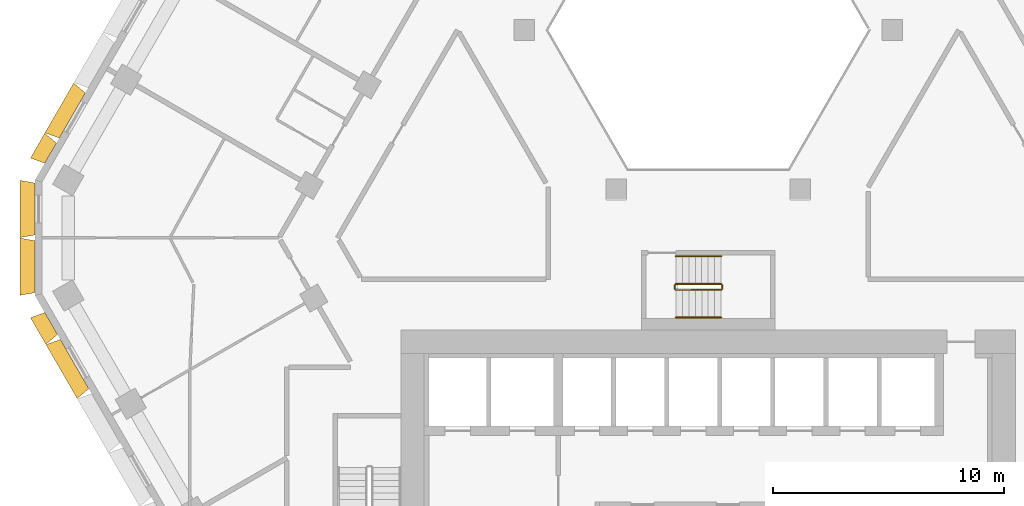
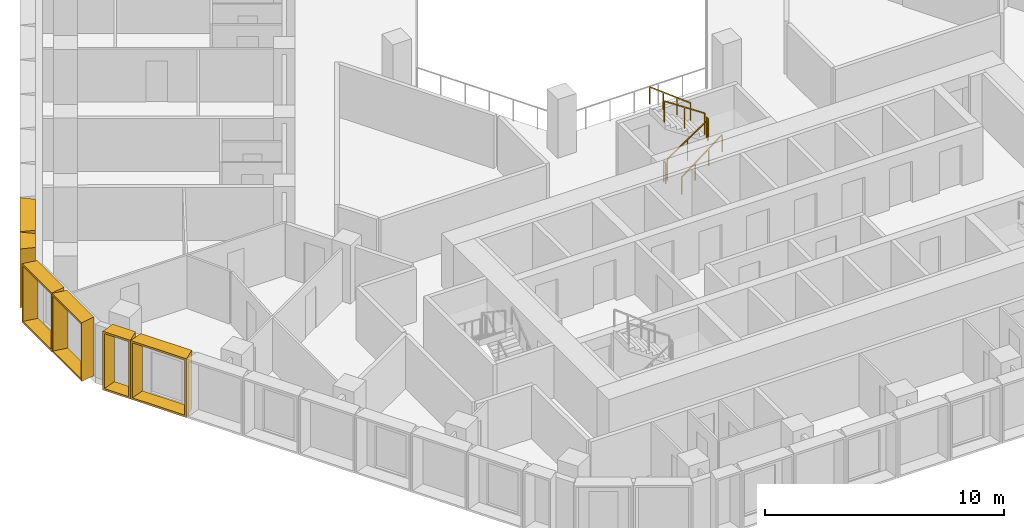
# One storey, part 13 of 15: 6 railings, 6 shading devices.
"""IFC4 building model written with IfcOpenShell, lengths in metres."""

import ifcopenshell
import ifcopenshell.guid

model = None  # the IFC model being written
_history = None  # IfcOwnerHistory: only IFC2X3 demands one
_inside = {}  # id of a spatial element -> (the spatial element, [elements in it])
_under = {}  # id of a project, library or spatial element -> (it, [spatial elements below it])
_declared = {}  # id of a project -> (the project, [libraries it declares])
_typed = {}  # id of a type object -> (the type object, [elements of that type])
_made_of = {}  # id of a material, layer set ... -> (it, [elements and type objects made of it])


def new_model(schema):
    """Start an empty IFC model of exactly this schema.

    Asked for "IFC4X3", IfcOpenShell would pick the latest addendum, in which some entities
    have other attributes; the version numbers below select the first issue.
    IFC2X3 requires an IfcOwnerHistory on every rooted entity: one is made here for all.
    """
    global model, _history
    if schema == "IFC4X3":
        model = ifcopenshell.file(schema_version=(4, 3, 0, 0))
    else:
        model = ifcopenshell.file(schema=schema)
    _inside.clear()
    _under.clear()
    _declared.clear()
    _typed.clear()
    _made_of.clear()
    _history = None
    if model.schema == "IFC2X3":
        org = make("IfcOrganization", Name="unknown")
        user = make(
            "IfcPersonAndOrganization",
            ThePerson=make("IfcPerson", FamilyName="unknown"),
            TheOrganization=org,
        )
        app = make(
            "IfcApplication",
            ApplicationDeveloper=org,
            Version="unknown",
            ApplicationFullName="unknown",
            ApplicationIdentifier="unknown",
        )
        _history = make(
            "IfcOwnerHistory",
            OwningUser=user,
            OwningApplication=app,
            ChangeAction="ADDED",
            CreationDate=0,
        )
    return model


def make(cls, **values):
    """One entity of the class cls with the attributes given. An attribute that is None is left unset."""
    return model.create_entity(
        cls, **{name: value for name, value in values.items() if value is not None}
    )


def entity(cls, *values):
    """Any entity or typed value of the class cls, its attributes in the order of the schema. None: left unset."""
    e = model.create_entity(cls)
    for i, value in enumerate(values):
        if value is not None:
            e[i] = value
    return e


def rooted(cls, **values):
    """An entity with a GlobalId (a new one), such as an element, a storey or a relation."""
    return make(cls, GlobalId=ifcopenshell.guid.new(), OwnerHistory=_history, **values)


def si_unit(unit_type, name, prefix=None):
    """IfcSIUnit, for example si_unit("LENGTHUNIT", "METRE", prefix="MILLI")."""
    return make("IfcSIUnit", UnitType=unit_type, Prefix=prefix, Name=name)


def assignment(units):
    """IfcUnitAssignment: the units of a project."""
    return None if units is None else make("IfcUnitAssignment", Units=units)


def point(xyz):
    """IfcCartesianPoint."""
    return None if xyz is None else make("IfcCartesianPoint", Coordinates=xyz)


def direction(xyz):
    """IfcDirection."""
    return None if xyz is None else make("IfcDirection", DirectionRatios=xyz)


def frame(location, z_axis=None, x_axis=None):
    """IfcAxis2Placement3D, a coordinate frame: its origin and axes. An axis left out is left unset."""
    return make(
        "IfcAxis2Placement3D",
        Location=point(location),
        Axis=direction(z_axis),
        RefDirection=direction(x_axis),
    )


def frame_2d(location, x_axis=None):
    """IfcAxis2Placement2D, a coordinate frame in the plane: its origin and x axis."""
    return make(
        "IfcAxis2Placement2D", Location=point(location), RefDirection=direction(x_axis)
    )


def origin():
    """The frame at (0, 0, 0) with its axes left unset."""
    return frame((0.0, 0.0, 0.0))


def origin_2d():
    """The frame at (0, 0) in the plane with its x axis left unset."""
    return frame_2d((0.0, 0.0))


def place(relative_to, where):
    """IfcLocalPlacement: puts the frame where relative to a parent placement (None: the world)."""
    return make(
        "IfcLocalPlacement", PlacementRelTo=relative_to, RelativePlacement=where
    )


def context(
    kind, dimensions, precision=None, world=None, true_north=None, identifier=None
):
    """IfcGeometricRepresentationContext, for example the 3D "Model" context."""
    return make(
        "IfcGeometricRepresentationContext",
        ContextIdentifier=identifier,
        ContextType=kind,
        CoordinateSpaceDimension=dimensions,
        Precision=precision,
        WorldCoordinateSystem=world,
        TrueNorth=true_north,
    )


def subcontext(parent, identifier, kind, view, scale=None):
    """IfcGeometricRepresentationSubContext, for example "Body" below "Model"."""
    return make(
        "IfcGeometricRepresentationSubContext",
        ContextIdentifier=identifier,
        ContextType=kind,
        ParentContext=parent,
        TargetScale=scale,
        TargetView=view,
    )


def project(units=None, contexts=None):
    """IfcProject with its units and contexts."""
    return rooted(
        "IfcProject",
        Name="project",
        RepresentationContexts=contexts,
        UnitsInContext=assignment(units),
    )


def spatial(cls, under=None, at=None, **own):
    """A site, building, storey or space (cls), placed at a placement, below another one or the project."""
    s = rooted(cls, ObjectPlacement=at, **own)
    if under is not None:
        _under.setdefault(under.id(), (under, []))[1].append(s)
    return s


def profile(cls, at=None, kind="AREA", **sizes):
    """A parametric profile (cls). Its sizes go by their IFC names, for example OverallWidth=200.0."""
    return make(cls, ProfileType=kind, Position=at, **sizes)


def rectangle(**sizes):
    """IfcRectangleProfileDef."""
    return profile("IfcRectangleProfileDef", **sizes)


def extrude(swept, where, along, depth):
    """IfcExtrudedAreaSolid: the profile swept, set in the frame where, extruded along a direction by depth."""
    return make(
        "IfcExtrudedAreaSolid",
        SweptArea=swept,
        Position=where,
        ExtrudedDirection=direction(along),
        Depth=depth,
    )


def shape(context_of_items, identifier, shape_type, items):
    """IfcShapeRepresentation: the items that make up one representation, for example the "Body"."""
    return make(
        "IfcShapeRepresentation",
        ContextOfItems=context_of_items,
        RepresentationIdentifier=identifier,
        RepresentationType=shape_type,
        Items=items,
    )


def source(mapping_origin, context_of_items, identifier, shape_type, items):
    """IfcRepresentationMap: a shape defined once, which mapped items show again and again."""
    return make(
        "IfcRepresentationMap",
        MappingOrigin=mapping_origin,
        MappedRepresentation=shape(context_of_items, identifier, shape_type, items),
    )


def transform(
    local_origin,
    x_axis=None,
    y_axis=None,
    z_axis=None,
    scale=None,
    scale2=None,
    scale3=None,
    uniform=True,
):
    """IfcCartesianTransformationOperator3D, or its non-uniform kind. x_axis, y_axis, z_axis: its Axis1, 2, 3."""
    if uniform:
        return make(
            "IfcCartesianTransformationOperator3D",
            Axis1=direction(x_axis),
            Axis2=direction(y_axis),
            LocalOrigin=point(local_origin),
            Scale=scale,
            Axis3=direction(z_axis),
        )
    return make(
        "IfcCartesianTransformationOperator3DnonUniform",
        Axis1=direction(x_axis),
        Axis2=direction(y_axis),
        LocalOrigin=point(local_origin),
        Scale=scale,
        Axis3=direction(z_axis),
        Scale2=scale2,
        Scale3=scale3,
    )


def mapped(mapping_source, mapping_target):
    """IfcMappedItem: shows the shape of a source again, moved by a transform."""
    return make(
        "IfcMappedItem", MappingSource=mapping_source, MappingTarget=mapping_target
    )


def material(Name=None, Category=None):
    """IfcMaterial."""
    return make("IfcMaterial", Name=Name, Category=Category)


def made_of(thing, what):
    """Note that an element or type object is made of a material, layer set ...; save() writes the relation."""
    if what is not None:
        _made_of.setdefault(what.id(), (what, []))[1].append(thing)
    return thing


def type_object(cls, material=None, **own):
    """A type object (cls), such as IfcWallType, which elements share."""
    return made_of(rooted(cls, **own), material)


def type_shapes(of_type, sources):
    """Give a type object the sources (RepresentationMaps) that its elements show as mapped items."""
    of_type.RepresentationMaps = sources


def element(
    cls,
    number,
    at=None,
    inside=None,
    cuts=None,
    type_object=None,
    material=None,
    context=None,
    identifier="Body",
    shape_type=None,
    held_by="IfcProductDefinitionShape",
    body=None,
    shapes=None,
    **own,
):
    """One element of the class cls, such as IfcWall. Its Tag is "e" and its number.

    at: its placement. inside: the storey or other place that contains it. cuts: it is an
    opening in that element (IfcRelVoidsElement). A single representation is given by context,
    identifier, shape_type and body (its items); several are given by shapes. held_by: the class
    of the entity that holds the representations. save() writes the other relations.
    """
    e = rooted(cls, Tag="e%d" % number, ObjectPlacement=at, **own)
    if body is not None:
        shapes = [shape(context, identifier, shape_type, body)]
    if shapes is not None:
        e.Representation = make(held_by, Representations=shapes)
    if inside is not None:
        _inside.setdefault(inside.id(), (inside, []))[1].append(e)
    if cuts is not None:
        rooted(
            "IfcRelVoidsElement", RelatingBuildingElement=cuts, RelatedOpeningElement=e
        )
    if type_object is not None:
        _typed.setdefault(type_object.id(), (type_object, []))[1].append(e)
    return made_of(e, material)


def aggregate(whole, parts):
    """IfcRelAggregates: a whole, such as a stair, and the parts it consists of."""
    return rooted("IfcRelAggregates", RelatingObject=whole, RelatedObjects=parts)


def save(model, path):
    """Write the relations noted so far, then the file.

    IfcRelAggregates (storeys below a building ...), IfcRelContainedInSpatialStructure (elements
    in a storey), IfcRelDefinesByType, IfcRelAssociatesMaterial and IfcRelDeclares: one each for
    every whole, place, type object, material and project.
    """
    for whole, parts in _under.values():
        aggregate(whole, parts)
    for where, things in _inside.values():
        rooted(
            "IfcRelContainedInSpatialStructure",
            RelatedElements=things,
            RelatingStructure=where,
        )
    for kind, things in _typed.values():
        rooted("IfcRelDefinesByType", RelatedObjects=things, RelatingType=kind)
    for what, things in _made_of.values():
        rooted("IfcRelAssociatesMaterial", RelatedObjects=things, RelatingMaterial=what)
    for by, libraries in _declared.values():
        rooted("IfcRelDeclares", RelatingContext=by, RelatedDefinitions=libraries)
    model.write(path)


model = new_model("IFC4")

# Units and contexts
model_context = context("Model", 3, precision=1e-05, world=origin(), true_north=direction((0.0, 1.0)))
body_context = subcontext(model_context, "Body", "Model", "MODEL_VIEW")
ifc_project = project(units=[si_unit("LENGTHUNIT", "METRE"), si_unit("AREAUNIT", "SQUARE_METRE"), si_unit("VOLUMEUNIT", "CUBIC_METRE"), si_unit("PLANEANGLEUNIT", "RADIAN"), si_unit("MASSUNIT", "GRAM", prefix="KILO")], contexts=[model_context])

# Site, building, storey
site_placement = place(None, origin())
site = spatial("IfcSite", under=ifc_project, at=site_placement, CompositionType="ELEMENT")
building_placement = place(site_placement, origin())
building = spatial("IfcBuilding", under=site, at=building_placement, Name="Beryl Residences", CompositionType="ELEMENT")
storey_placement = place(building_placement, frame((0.0, 0.0, 72.0)))
storey = spatial("IfcBuildingStorey", under=building, at=storey_placement, Name="L21", CompositionType="ELEMENT", Elevation=72.0)

# Shading devices
ifc_material_1 = material(Name="Aluminium pale anodised", Category="aluminium")
shading_device_type_1 = type_object("IfcShadingDeviceType", Name="FR126-65A OUTER SKIN frame 650 mm deep, splay 10/10 deg, 1260 x 3000 mm cell", PredefinedType="USERDEFINED", material=ifc_material_1)
cartesian_point_1 = entity("IfcCartesianPoint", [-0.5048828125, 0.0])
cartesian_point_2 = entity("IfcCartesianPoint", [-0.423828125, 0.10009765625])
cartesian_point_3 = entity("IfcCartesianPoint", [-0.61962890625, 0.0])
cartesian_point_4 = entity("IfcCartesianPoint", [-0.538330078125, 0.10009765625])
shared_shape_1 = source(origin(), body_context, "Body", "SweptSolid", [
    entity("IfcExtrudedAreaSolidTapered", entity("IfcArbitraryProfileDefWithVoids", "AREA", None, entity("IfcPolyline", [cartesian_point_1, entity("IfcCartesianPoint", [0.5048828125, 0.0]), entity("IfcCartesianPoint", [0.5048828125, 3.0]), entity("IfcCartesianPoint", [-0.5048828125, 3.0]), cartesian_point_1]), [entity("IfcPolyline", [cartesian_point_2, entity("IfcCartesianPoint", [0.423828125, 0.10009765625]), entity("IfcCartesianPoint", [0.423828125, 2.89990234375]), entity("IfcCartesianPoint", [-0.423828125, 2.89990234375]), cartesian_point_2])]), entity("IfcAxis2Placement3D", entity("IfcCartesianPoint", [0.0, 0.0, 0.0]), entity("IfcDirection", [0.0, 1.0, 0.0]), entity("IfcDirection", [-1.0, 0.0, 0.0])), entity("IfcDirection", [0.0, 0.0, 1.0]), 0.64990234375, entity("IfcArbitraryProfileDefWithVoids", "AREA", None, entity("IfcPolyline", [cartesian_point_3, entity("IfcCartesianPoint", [0.61962890625, 0.0]), entity("IfcCartesianPoint", [0.61962890625, 3.0]), entity("IfcCartesianPoint", [-0.61962890625, 3.0]), cartesian_point_3]), [entity("IfcPolyline", [cartesian_point_4, entity("IfcCartesianPoint", [0.538330078125, 0.10009765625]), entity("IfcCartesianPoint", [0.538330078125, 2.89990234375]), entity("IfcCartesianPoint", [-0.538330078125, 2.89990234375]), cartesian_point_4])])),
])
type_shapes(shading_device_type_1, [shared_shape_1])
shading_device_1_placement = place(storey_placement, frame((-28.48193359375, 2.6689453125, 0.0), z_axis=(0.0, 0.0, 1.0), x_axis=(0.5, 0.866025403784, 0.0)))
element("IfcShadingDevice", 1, at=shading_device_1_placement, inside=storey, type_object=shading_device_type_1, Name="FR126-65A frame L21 NW 11", ObjectType="OUTER SKIN", PredefinedType="USERDEFINED", context=body_context, shape_type="MappedRepresentation", body=[
    mapped(shared_shape_1, transform((0.0, 0.0, 0.0))),
])
ifc_material_2 = material(Name="Aluminium pale anodised", Category="aluminium")
shading_device_type_2 = type_object("IfcShadingDeviceType", Name="FR135-65A OUTER SKIN frame 650 mm deep, splay 10/10 deg, 1350 x 3000 mm cell", PredefinedType="USERDEFINED", material=ifc_material_2)
cartesian_point_5 = entity("IfcCartesianPoint", [-0.550048828125, 0.0])
cartesian_point_6 = entity("IfcCartesianPoint", [-0.46875, 0.10009765625])
cartesian_point_7 = entity("IfcCartesianPoint", [-0.66455078125, 0.0])
cartesian_point_8 = entity("IfcCartesianPoint", [-0.58349609375, 0.10009765625])
shared_shape_2 = source(origin(), body_context, "Body", "SweptSolid", [
    entity("IfcExtrudedAreaSolidTapered", entity("IfcArbitraryProfileDefWithVoids", "AREA", None, entity("IfcPolyline", [cartesian_point_5, entity("IfcCartesianPoint", [0.550048828125, 0.0]), entity("IfcCartesianPoint", [0.550048828125, 3.0]), entity("IfcCartesianPoint", [-0.550048828125, 3.0]), cartesian_point_5]), [entity("IfcPolyline", [cartesian_point_6, entity("IfcCartesianPoint", [0.46875, 0.10009765625]), entity("IfcCartesianPoint", [0.46875, 2.89990234375]), entity("IfcCartesianPoint", [-0.46875, 2.89990234375]), cartesian_point_6])]), entity("IfcAxis2Placement3D", entity("IfcCartesianPoint", [0.0, 0.0, 0.0]), entity("IfcDirection", [0.0, 1.0, 0.0]), entity("IfcDirection", [-1.0, 0.0, 0.0])), entity("IfcDirection", [0.0, 0.0, 1.0]), 0.64990234375, entity("IfcArbitraryProfileDefWithVoids", "AREA", None, entity("IfcPolyline", [cartesian_point_7, entity("IfcCartesianPoint", [0.66455078125, 0.0]), entity("IfcCartesianPoint", [0.66455078125, 3.0]), entity("IfcCartesianPoint", [-0.66455078125, 3.0]), cartesian_point_7]), [entity("IfcPolyline", [cartesian_point_8, entity("IfcCartesianPoint", [0.58349609375, 0.10009765625]), entity("IfcCartesianPoint", [0.58349609375, 2.89990234375]), entity("IfcCartesianPoint", [-0.58349609375, 2.89990234375]), cartesian_point_8])])),
])
type_shapes(shading_device_type_2, [shared_shape_2])
shading_device_2_placement = place(storey_placement, frame((-28.4580078125, -4.7099609375, 0.0), z_axis=(0.0, 0.0, 1.0), x_axis=(-0.5, 0.866025403784, 0.0)))
element("IfcShadingDevice", 2, at=shading_device_2_placement, inside=storey, type_object=shading_device_type_2, Name="FR135-65A frame L21 SW 1", ObjectType="OUTER SKIN", PredefinedType="USERDEFINED", context=body_context, shape_type="MappedRepresentation", body=[
    mapped(shared_shape_2, transform((0.0, 0.0, 0.0))),
])
ifc_material_3 = material(Name="Aluminium pale anodised", Category="aluminium")
shading_device_type_3 = type_object("IfcShadingDeviceType", Name="FR250-65A OUTER SKIN frame 650 mm deep, splay 10/10 deg, 2500 x 3000 mm cell", PredefinedType="USERDEFINED", material=ifc_material_3)
cartesian_point_9 = entity("IfcCartesianPoint", [-1.125, 0.0])
cartesian_point_10 = entity("IfcCartesianPoint", [-1.043701171875, 0.10009765625])
cartesian_point_11 = entity("IfcCartesianPoint", [-1.239501953125, 0.0])
cartesian_point_12 = entity("IfcCartesianPoint", [-1.158447265625, 0.10009765625])
shared_shape_3 = source(origin(), body_context, "Body", "SweptSolid", [
    entity("IfcExtrudedAreaSolidTapered", entity("IfcArbitraryProfileDefWithVoids", "AREA", None, entity("IfcPolyline", [cartesian_point_9, entity("IfcCartesianPoint", [1.125, 0.0]), entity("IfcCartesianPoint", [1.125, 3.0]), entity("IfcCartesianPoint", [-1.125, 3.0]), cartesian_point_9]), [entity("IfcPolyline", [cartesian_point_10, entity("IfcCartesianPoint", [1.043701171875, 0.10009765625]), entity("IfcCartesianPoint", [1.043701171875, 2.89990234375]), entity("IfcCartesianPoint", [-1.043701171875, 2.89990234375]), cartesian_point_10])]), entity("IfcAxis2Placement3D", entity("IfcCartesianPoint", [0.0, 0.0, 0.0]), entity("IfcDirection", [0.0, 1.0, 0.0]), entity("IfcDirection", [-1.0, 0.0, 0.0])), entity("IfcDirection", [0.0, 0.0, 1.0]), 0.64990234375, entity("IfcArbitraryProfileDefWithVoids", "AREA", None, entity("IfcPolyline", [cartesian_point_11, entity("IfcCartesianPoint", [1.239501953125, 0.0]), entity("IfcCartesianPoint", [1.239501953125, 3.0]), entity("IfcCartesianPoint", [-1.239501953125, 3.0]), cartesian_point_11]), [entity("IfcPolyline", [cartesian_point_12, entity("IfcCartesianPoint", [1.158447265625, 0.10009765625]), entity("IfcCartesianPoint", [1.158447265625, 2.89990234375]), entity("IfcCartesianPoint", [-1.158447265625, 2.89990234375]), cartesian_point_12])])),
])
type_shapes(shading_device_type_3, [shared_shape_3])
for number, where, z_axis, x_axis, name in (
    (3, (-29.156982421875, 0.25, 0.0), (0.0, 0.0, 1.0), (0.0, 1.0, 0.0), "FR250-65A frame L21 NW-SW 1"),
    (4, (-29.156982421875, -2.25, 0.0), (0.0, 0.0, 1.0), (0.0, 1.0, 0.0), "FR250-65A frame L21 NW-SW 2"),
):
    element("IfcShadingDevice", number, at=place(storey_placement, frame(where, z_axis=z_axis, x_axis=x_axis)), inside=storey, type_object=shading_device_type_3, Name=name, ObjectType="OUTER SKIN", PredefinedType="USERDEFINED", context=body_context, shape_type="MappedRepresentation", body=[
        mapped(shared_shape_3, transform((0.0, 0.0, 0.0))),
    ])
ifc_material_4 = material(Name="Aluminium pale anodised", Category="aluminium")
shading_device_type_4 = type_object("IfcShadingDeviceType", Name="FR251-65A OUTER SKIN frame 650 mm deep, splay 10/10 deg, 2510 x 3000 mm cell", PredefinedType="USERDEFINED", material=ifc_material_4)
cartesian_point_13 = entity("IfcCartesianPoint", [-1.1298828125, 0.0])
cartesian_point_14 = entity("IfcCartesianPoint", [-1.048828125, 0.10009765625])
cartesian_point_15 = entity("IfcCartesianPoint", [-1.24462890625, 0.0])
cartesian_point_16 = entity("IfcCartesianPoint", [-1.163330078125, 0.10009765625])
shared_shape_4 = source(origin(), body_context, "Body", "SweptSolid", [
    entity("IfcExtrudedAreaSolidTapered", entity("IfcArbitraryProfileDefWithVoids", "AREA", None, entity("IfcPolyline", [cartesian_point_13, entity("IfcCartesianPoint", [1.1298828125, 0.0]), entity("IfcCartesianPoint", [1.1298828125, 3.0]), entity("IfcCartesianPoint", [-1.1298828125, 3.0]), cartesian_point_13]), [entity("IfcPolyline", [cartesian_point_14, entity("IfcCartesianPoint", [1.048828125, 0.10009765625]), entity("IfcCartesianPoint", [1.048828125, 2.89990234375]), entity("IfcCartesianPoint", [-1.048828125, 2.89990234375]), cartesian_point_14])]), entity("IfcAxis2Placement3D", entity("IfcCartesianPoint", [0.0, 0.0, 0.0]), entity("IfcDirection", [0.0, 1.0, 0.0]), entity("IfcDirection", [-1.0, 0.0, 0.0])), entity("IfcDirection", [0.0, 0.0, 1.0]), 0.64990234375, entity("IfcArbitraryProfileDefWithVoids", "AREA", None, entity("IfcPolyline", [cartesian_point_15, entity("IfcCartesianPoint", [1.24462890625, 0.0]), entity("IfcCartesianPoint", [1.24462890625, 3.0]), entity("IfcCartesianPoint", [-1.24462890625, 3.0]), cartesian_point_15]), [entity("IfcPolyline", [cartesian_point_16, entity("IfcCartesianPoint", [1.163330078125, 0.10009765625]), entity("IfcCartesianPoint", [1.163330078125, 2.89990234375]), entity("IfcCartesianPoint", [-1.163330078125, 2.89990234375]), cartesian_point_16])])),
])
type_shapes(shading_device_type_4, [shared_shape_4])
shading_device_3_placement = place(storey_placement, frame((-27.5400390625, 4.300048828125, 0.0), z_axis=(0.0, 0.0, 1.0), x_axis=(0.5, 0.866025403784, 0.0)))
element("IfcShadingDevice", 5, at=shading_device_3_placement, inside=storey, type_object=shading_device_type_4, Name="FR251-65A frame L21 NW 10", ObjectType="OUTER SKIN", PredefinedType="USERDEFINED", context=body_context, shape_type="MappedRepresentation", body=[
    mapped(shared_shape_4, transform((0.0, 0.0, 0.0))),
])
ifc_material_5 = material(Name="Aluminium pale anodised", Category="aluminium")
shading_device_type_5 = type_object("IfcShadingDeviceType", Name="FR271-65A OUTER SKIN frame 650 mm deep, splay 10/10 deg, 2710 x 3000 mm cell", PredefinedType="USERDEFINED", material=ifc_material_5)
cartesian_point_17 = entity("IfcCartesianPoint", [-1.22998046875, 0.0])
cartesian_point_18 = entity("IfcCartesianPoint", [-1.148681640625, 0.10009765625])
cartesian_point_19 = entity("IfcCartesianPoint", [-1.3447265625, 0.0])
cartesian_point_20 = entity("IfcCartesianPoint", [-1.263427734375, 0.10009765625])
shared_shape_5 = source(origin(), body_context, "Body", "SweptSolid", [
    entity("IfcExtrudedAreaSolidTapered", entity("IfcArbitraryProfileDefWithVoids", "AREA", None, entity("IfcPolyline", [cartesian_point_17, entity("IfcCartesianPoint", [1.22998046875, 0.0]), entity("IfcCartesianPoint", [1.22998046875, 3.0]), entity("IfcCartesianPoint", [-1.22998046875, 3.0]), cartesian_point_17]), [entity("IfcPolyline", [cartesian_point_18, entity("IfcCartesianPoint", [1.148681640625, 0.10009765625]), entity("IfcCartesianPoint", [1.148681640625, 2.89990234375]), entity("IfcCartesianPoint", [-1.148681640625, 2.89990234375]), cartesian_point_18])]), entity("IfcAxis2Placement3D", entity("IfcCartesianPoint", [0.0, 0.0, 0.0]), entity("IfcDirection", [0.0, 1.0, 0.0]), entity("IfcDirection", [-1.0, 0.0, 0.0])), entity("IfcDirection", [0.0, 0.0, 1.0]), 0.64990234375, entity("IfcArbitraryProfileDefWithVoids", "AREA", None, entity("IfcPolyline", [cartesian_point_19, entity("IfcCartesianPoint", [1.3447265625, 0.0]), entity("IfcCartesianPoint", [1.3447265625, 3.0]), entity("IfcCartesianPoint", [-1.3447265625, 3.0]), cartesian_point_19]), [entity("IfcPolyline", [cartesian_point_20, entity("IfcCartesianPoint", [1.263427734375, 0.10009765625]), entity("IfcCartesianPoint", [1.263427734375, 2.89990234375]), entity("IfcCartesianPoint", [-1.263427734375, 2.89990234375]), cartesian_point_20])])),
])
type_shapes(shading_device_type_5, [shared_shape_5])
shading_device_4_placement = place(storey_placement, frame((-27.443115234375, -6.468017578125, 0.0), z_axis=(0.0, 0.0, 1.0), x_axis=(-0.5, 0.866025403784, 0.0)))
element("IfcShadingDevice", 6, at=shading_device_4_placement, inside=storey, type_object=shading_device_type_5, Name="FR271-65A frame L21 SW 2", ObjectType="OUTER SKIN", PredefinedType="USERDEFINED", context=body_context, shape_type="MappedRepresentation", body=[
    mapped(shared_shape_5, transform((0.0, 0.0, 0.0))),
])

# Railings
ifc_material_6 = material(Name="Stainless steel balustrade with glass infill", Category="steel")
railing_type_1 = type_object("IfcRailingType", Name="SG1 stair guard 1100 mm", PredefinedType="GUARDRAIL", material=ifc_material_6)
railing_1_placement = place(storey_placement, frame((-1.39990234375, -3.25, 0.1875)))
element("IfcRailing", 7, at=railing_1_placement, inside=storey, type_object=railing_type_1, Name="L21 ST-4 stair guard 1", PredefinedType="GUARDRAIL", context=body_context, shape_type="SweptSolid", body=[
    extrude(rectangle(XDim=0.048095703125, YDim=0.048095703125, at=origin_2d()), frame((0.0, 0.0, 1.076171875), z_axis=(0.830902050051, 0.0, 0.556418712142), x_axis=(0.0, 1.0, 0.0)), (0.0, 0.0, 1.0), 2.35888671875),
    extrude(rectangle(XDim=0.0419921875, YDim=0.0419921875, at=origin_2d()), origin(), (0.0, 0.0, 1.0), 1.052001953125),
    extrude(rectangle(XDim=0.0419921875, YDim=0.0419921875, at=origin_2d()), frame((0.97998046875, 0.0, 0.65625)), (0.0, 0.0, 1.0), 1.052001953125),
    extrude(rectangle(XDim=0.0419921875, YDim=0.0419921875, at=origin_2d()), frame((1.9599609375, 0.0, 1.3125)), (0.0, 0.0, 1.0), 1.052001953125),
])
railing_2_placement = place(storey_placement, frame((0.610107421875, -3.199951171875, 1.5)))
element("IfcRailing", 8, at=railing_2_placement, inside=storey, type_object=railing_type_1, Name="L21 ST-4 stair guard 2", PredefinedType="GUARDRAIL", context=body_context, shape_type="SweptSolid", body=[
    extrude(rectangle(XDim=0.048095703125, YDim=0.048095703125, at=origin_2d()), frame((0.0, 0.0, 1.076171875), z_axis=(0.0, 1.0, 0.0), x_axis=(-1.0, 0.0, 0.0)), (0.0, 0.0, 1.0), 0.14990234375),
    extrude(rectangle(XDim=0.0419921875, YDim=0.0419921875, at=origin_2d()), origin(), (0.0, 0.0, 1.0), 1.052001953125),
    extrude(rectangle(XDim=0.0419921875, YDim=0.0419921875, at=origin_2d()), frame((0.0, 0.14990234375, 0.0)), (0.0, 0.0, 1.0), 1.052001953125),
])
railing_3_placement = place(storey_placement, frame((0.56005859375, -3.0, 1.6875)))
element("IfcRailing", 9, at=railing_3_placement, inside=storey, type_object=railing_type_1, Name="L21 ST-4 stair guard 3", PredefinedType="GUARDRAIL", context=body_context, shape_type="SweptSolid", body=[
    extrude(rectangle(XDim=0.048095703125, YDim=0.048095703125, at=origin_2d()), frame((0.0, 0.0, 1.076171875), z_axis=(-0.830902050051, 0.0, 0.556418712142), x_axis=(0.0, -1.0, 0.0)), (0.0, 0.0, 1.0), 2.35888671875),
    extrude(rectangle(XDim=0.0419921875, YDim=0.0419921875, at=origin_2d()), origin(), (0.0, 0.0, 1.0), 1.052001953125),
    extrude(rectangle(XDim=0.0419921875, YDim=0.0419921875, at=origin_2d()), frame((-0.97998046875, 0.0, 0.65625)), (0.0, 0.0, 1.0), 1.052001953125),
    extrude(rectangle(XDim=0.0419921875, YDim=0.0419921875, at=origin_2d()), frame((-1.9599609375, 0.0, 1.3125)), (0.0, 0.0, 1.0), 1.052001953125),
])
railing_4_placement = place(storey_placement, frame((-1.449951171875, -3.199951171875, 0.0)))
element("IfcRailing", 10, at=railing_4_placement, inside=storey, type_object=railing_type_1, Name="L21 ST-4 stair guard 4", PredefinedType="GUARDRAIL", context=body_context, shape_type="SweptSolid", body=[
    extrude(rectangle(XDim=0.048095703125, YDim=0.048095703125, at=origin_2d()), frame((0.0, 0.0, 1.076171875), z_axis=(0.0, 1.0, 0.0), x_axis=(-1.0, 0.0, 0.0)), (0.0, 0.0, 1.0), 0.14990234375),
    extrude(rectangle(XDim=0.0419921875, YDim=0.0419921875, at=origin_2d()), origin(), (0.0, 0.0, 1.0), 1.052001953125),
    extrude(rectangle(XDim=0.0419921875, YDim=0.0419921875, at=origin_2d()), frame((0.0, 0.14990234375, 0.0)), (0.0, 0.0, 1.0), 1.052001953125),
])
ifc_material_7 = material(Name="Stainless steel handrail", Category="steel")
railing_type_2 = type_object("IfcRailingType", Name="SRL1 stair handrail 900 mm", PredefinedType="HANDRAIL", material=ifc_material_7)
railing_5_placement = place(storey_placement, frame((-1.39990234375, -4.449951171875, 0.1875)))
element("IfcRailing", 11, at=railing_5_placement, inside=storey, type_object=railing_type_2, Name="L21 ST-4 stair handrail 1", PredefinedType="HANDRAIL", context=body_context, shape_type="SweptSolid", body=[
    extrude(rectangle(XDim=0.048095703125, YDim=0.048095703125, at=origin_2d()), frame((0.0, 0.0, 0.8759765625), z_axis=(0.794121922505, 0.0, 0.607758481798), x_axis=(0.0, 1.0, 0.0)), (0.0, 0.0, 1.0), 2.468017578125),
    extrude(rectangle(XDim=0.0419921875, YDim=0.0419921875, at=origin_2d()), origin(), (0.0, 0.0, 1.0), 0.851806640625),
    extrude(rectangle(XDim=0.0419921875, YDim=0.0419921875, at=origin_2d()), frame((0.6533203125, 0.0, 0.5)), (0.0, 0.0, 1.0), 0.851806640625),
    extrude(rectangle(XDim=0.0419921875, YDim=0.0419921875, at=origin_2d()), frame((1.306640625, 0.0, 1.0)), (0.0, 0.0, 1.0), 0.851806640625),
    extrude(rectangle(XDim=0.0419921875, YDim=0.0419921875, at=origin_2d()), frame((1.9599609375, 0.0, 1.5)), (0.0, 0.0, 1.0), 0.851806640625),
])
railing_6_placement = place(storey_placement, frame((0.56005859375, -1.800048828125, 1.6875)))
element("IfcRailing", 12, at=railing_6_placement, inside=storey, type_object=railing_type_2, Name="L21 ST-4 stair handrail 2", PredefinedType="HANDRAIL", context=body_context, shape_type="SweptSolid", body=[
    extrude(rectangle(XDim=0.048095703125, YDim=0.048095703125, at=origin_2d()), frame((0.0, 0.0, 0.8759765625), z_axis=(-0.794121922505, 0.0, 0.607758481798), x_axis=(0.0, -1.0, 0.0)), (0.0, 0.0, 1.0), 2.468017578125),
    extrude(rectangle(XDim=0.0419921875, YDim=0.0419921875, at=origin_2d()), origin(), (0.0, 0.0, 1.0), 0.851806640625),
    extrude(rectangle(XDim=0.0419921875, YDim=0.0419921875, at=origin_2d()), frame((-0.6533203125, 0.0, 0.5)), (0.0, 0.0, 1.0), 0.851806640625),
    extrude(rectangle(XDim=0.0419921875, YDim=0.0419921875, at=origin_2d()), frame((-1.306640625, 0.0, 1.0)), (0.0, 0.0, 1.0), 0.851806640625),
    extrude(rectangle(XDim=0.0419921875, YDim=0.0419921875, at=origin_2d()), frame((-1.9599609375, 0.0, 1.5)), (0.0, 0.0, 1.0), 0.851806640625),
])

save(model, "model.ifc")
